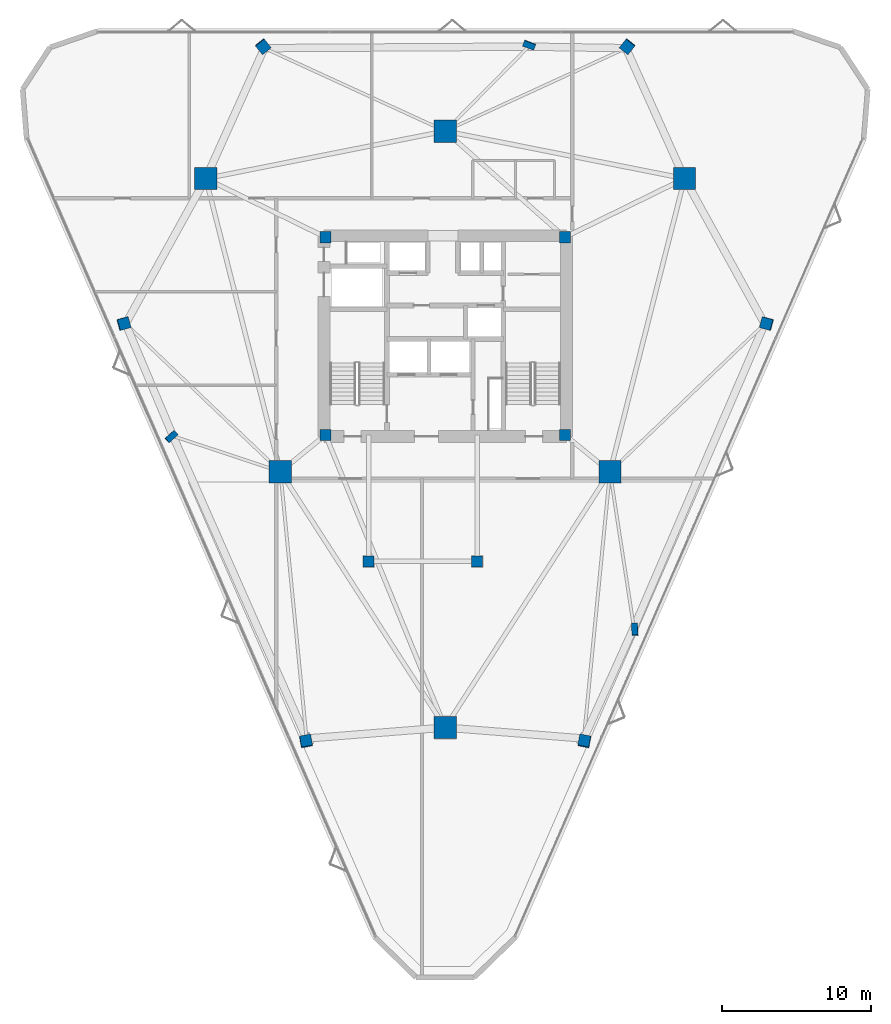
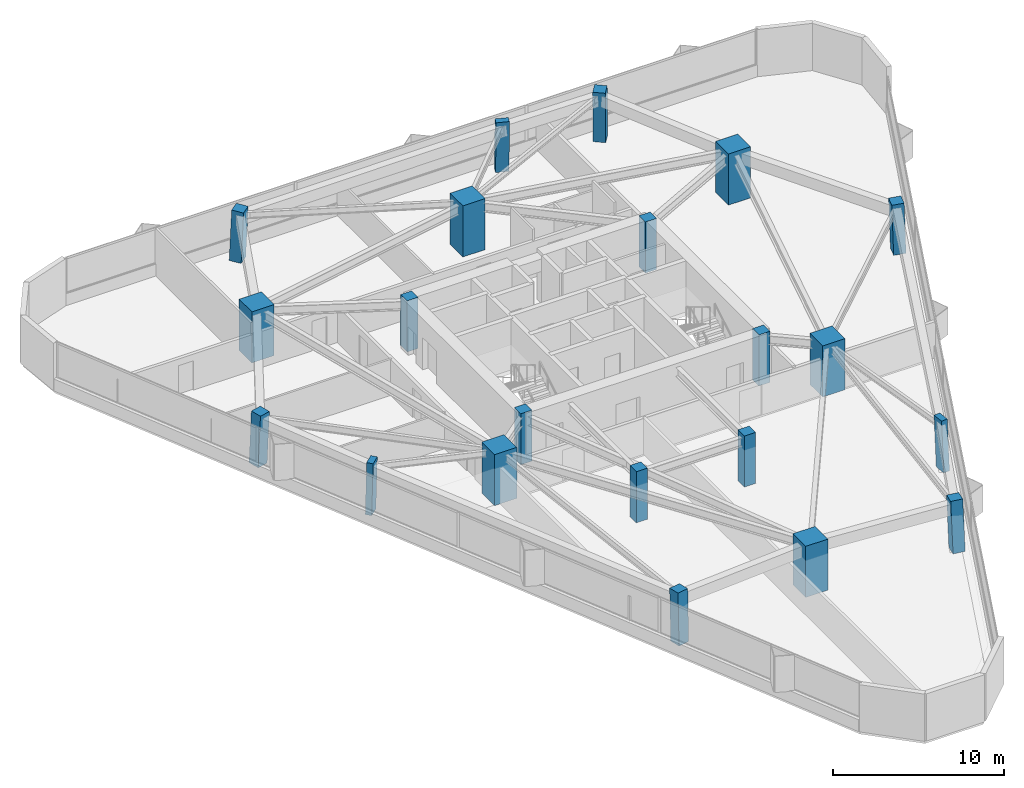
# One storey, part 1 of 13: 21 columns.
"""IFC4 building model written with IfcOpenShell, lengths in metres."""

from ifc_helpers import new_model, si_unit, direction, frame, origin, origin_2d, place, context, subcontext, project, spatial, rectangle, extrude, material, material_profile, profile_set, type_object, element, save


model = new_model("IFC4")

# Units and contexts
model_context = context("Model", 3, precision=1e-05, world=origin(), true_north=direction((0.0, 1.0)))
body_context = subcontext(model_context, "Body", "Model", "MODEL_VIEW")
ifc_project = project(units=[si_unit("LENGTHUNIT", "METRE"), si_unit("AREAUNIT", "SQUARE_METRE"), si_unit("VOLUMEUNIT", "CUBIC_METRE"), si_unit("PLANEANGLEUNIT", "RADIAN"), si_unit("MASSUNIT", "GRAM", prefix="KILO")], contexts=[model_context])

# Site, building, storey
site_placement = place(None, origin())
site = spatial("IfcSite", under=ifc_project, at=site_placement, CompositionType="ELEMENT")
building_placement = place(site_placement, origin())
building = spatial("IfcBuilding", under=site, at=building_placement, Name="Talyreon Biosciences Tower", CompositionType="ELEMENT")
storey_placement = place(building_placement, frame((0.0, 0.0, 145.449951171875)))
storey = spatial("IfcBuildingStorey", under=building, at=storey_placement, Name="L38", CompositionType="ELEMENT", Elevation=145.449951171875)

# Columns
ifc_material_1 = material(Name="Precast concrete C45/55", Category="concrete")
ifc_material_profile_1 = material_profile(ifc_material_1, rectangle(XDim=0.800048828125, YDim=0.39990234375, at=origin_2d()), Name="RC 800x400")
ifc_profile_set_1 = profile_set([ifc_material_profile_1], Name="Precast concrete C45/55")
column_type_1 = type_object("IfcColumnType", Name="FacadePilaster_800x400", PredefinedType="PILASTER", material=ifc_profile_set_1)
column_1_placement = place(storey_placement, frame((78.7646484375, 48.260009765625, 0.0029296875), z_axis=(-0.019612004119, 0.038286915892, 0.999074312234), x_axis=(0.061711070616, -0.997314869416, 0.039430888985)))
element("IfcColumn", 1, at=column_1_placement, inside=storey, type_object=column_type_1, Name="L38 Facade Pilaster PL-SE", PredefinedType="PILASTER", context=body_context, shape_type="SweptSolid", body=[
    extrude(rectangle(XDim=0.800048828125, YDim=0.39990234375, at=origin_2d()), origin(), (0.0, 0.0, 1.0), 3.6474609375),
])
column_2_placement = place(storey_placement, frame((71.6591796875, 87.591552734375, 0.0029296875), z_axis=(-0.012319636381, -0.033477272774, 0.999363546847), x_axis=(-0.938471233752, 0.345357414021, 0.0)))
element("IfcColumn", 2, at=column_2_placement, inside=storey, type_object=column_type_1, Name="L38 Facade Pilaster PL-N", PredefinedType="PILASTER", context=body_context, shape_type="SweptSolid", body=[
    extrude(rectangle(XDim=0.800048828125, YDim=0.39990234375, at=origin_2d()), origin(), (0.0, 0.0, 1.0), 3.646484375),
])
column_3_placement = place(storey_placement, frame((47.575927734375, 61.236328125, 0.0029296875), z_axis=(0.032006454348, 0.010579539303, 0.999431668614), x_axis=(0.744352970753, 0.667071142275, -0.030898965597)))
element("IfcColumn", 3, at=column_3_placement, inside=storey, type_object=column_type_1, Name="L38 Facade Pilaster PL-SW", PredefinedType="PILASTER", context=body_context, shape_type="SweptSolid", body=[
    extrude(rectangle(XDim=0.800048828125, YDim=0.39990234375, at=origin_2d()), origin(), (0.0, 0.0, 1.0), 3.64599609375),
])
ifc_material_2 = material(Name="Concrete C60/75", Category="concrete")
ifc_material_profile_2 = material_profile(ifc_material_2, rectangle(XDim=1.5, YDim=1.5, at=origin_2d()), Name="RC 1500x1500")
ifc_profile_set_2 = profile_set([ifc_material_profile_2], Name="Concrete C60/75")
column_type_2 = type_object("IfcColumnType", Name="MegaColumn_1500", PredefinedType="COLUMN", material=ifc_profile_set_2)
for number, where, z_axis, x_axis, name in (
    (4, (66.0, 41.6669921875, 0.0), (0.0, 0.0, 1.0), (1.0, 0.0, 0.0), "L38 Composite Mega-Column MC1"),
    (5, (82.102294921875, 78.5986328125, 0.0), (0.0, 0.0, 1.0), (1.0, 0.0, 0.0), "L38 Composite Mega-Column MC2"),
    (6, (49.897705078125, 78.5986328125, 0.0), (0.0, 0.0, 1.0), (1.0, 0.0, 0.0), "L38 Composite Mega-Column MC3"),
    (7, (77.086181640625, 58.88037109375, 0.0), (0.0, 0.0, 1.0), (1.0, 0.0, 0.0), "L38 Composite Mega-Column MC4"),
    (8, (66.0, 81.788818359375, 0.0), (0.0, 0.0, 1.0), (1.0, 0.0, 0.0), "L38 Composite Mega-Column MC5"),
    (9, (54.913818359375, 58.88037109375, 0.0), (0.0, 0.0, 1.0), (1.0, 0.0, 0.0), "L38 Composite Mega-Column MC6"),
):
    element("IfcColumn", number, at=place(storey_placement, frame(where, z_axis=z_axis, x_axis=x_axis)), inside=storey, type_object=column_type_2, Name=name, PredefinedType="COLUMN", context=body_context, shape_type="SweptSolid", body=[
        extrude(rectangle(XDim=1.5, YDim=1.5, at=origin_2d()), origin(), (0.0, 0.0, 1.0), 3.650146484375),
    ])
ifc_material_3 = material(Name="Concrete C50/60", Category="concrete")
ifc_material_profile_3 = material_profile(ifc_material_3, rectangle(XDim=0.75, YDim=0.75, at=origin_2d()), Name="RC 750x750")
ifc_profile_set_3 = profile_set([ifc_material_profile_3], Name="Concrete C50/60")
column_type_3 = type_object("IfcColumnType", Name="PerimeterColumn_750", PredefinedType="COLUMN", material=ifc_profile_set_3)
for number, where, z_axis, x_axis, name in (
    (10, (57.949951171875, 61.35009765625, 0.0), (0.0, 0.0, 1.0), (1.0, 0.0, 0.0), "L38 Core Column CC1"),
    (11, (74.050048828125, 61.35009765625, 0.0), (0.0, 0.0, 1.0), (1.0, 0.0, 0.0), "L38 Core Column CC2"),
    (12, (74.050048828125, 74.64990234375, 0.0), (0.0, 0.0, 1.0), (1.0, 0.0, 0.0), "L38 Core Column CC3"),
    (13, (57.949951171875, 74.64990234375, 0.0), (0.0, 0.0, 1.0), (1.0, 0.0, 0.0), "L38 Core Column CC4"),
    (14, (60.85009765625, 52.840087890625, 0.0), (0.0, 0.0, 1.0), (1.0, 0.0, 0.0), "L38 Core Column CSW"),
    (15, (68.14990234375, 52.840087890625, 0.0), (0.0, 0.0, 1.0), (1.0, 0.0, 0.0), "L38 Core Column CSE"),
):
    element("IfcColumn", number, at=place(storey_placement, frame(where, z_axis=z_axis, x_axis=x_axis)), inside=storey, type_object=column_type_3, Name=name, PredefinedType="COLUMN", context=body_context, shape_type="SweptSolid", body=[
        extrude(rectangle(XDim=0.75, YDim=0.75, at=origin_2d()), origin(), (0.0, 0.0, 1.0), 3.650146484375),
    ])
column_4_placement = place(storey_placement, frame((75.37158203125, 40.730224609375, 0.0029296875), z_axis=(-0.012308213911, 0.054517360531, 0.99843696109), x_axis=(-0.18839630256, -0.980756021357, 0.05122948129)))
element("IfcColumn", 16, at=column_4_placement, inside=storey, type_object=column_type_3, Name="L38 Tapering Perimeter Column PC-SE1", PredefinedType="COLUMN", context=body_context, shape_type="SweptSolid", body=[
    extrude(rectangle(XDim=0.75, YDim=0.75, at=origin_2d()), origin(), (0.0, 0.0, 1.0), 3.649658203125),
])
column_5_placement = place(storey_placement, frame((87.633544921875, 68.845947265625, 0.0029296875), z_axis=(-0.039229508262, -0.005623342481, 0.999214403269), x_axis=(0.963356994551, -0.265751221947, 0.036326148745)))
element("IfcColumn", 17, at=column_5_placement, inside=storey, type_object=column_type_3, Name="L38 Tapering Perimeter Column PC-SE2", PredefinedType="COLUMN", context=body_context, shape_type="SweptSolid", body=[
    extrude(rectangle(XDim=0.75, YDim=0.75, at=origin_2d()), origin(), (0.0, 0.0, 1.0), 3.64697265625),
])
for number, where, z_axis, x_axis, name in (
    (18, (78.261962890625, 87.49169921875, 0.0029296875), (-0.026841076243, -0.033534611465, 0.999077067328), (-0.780716755404, 0.624885067698, 0.0), "L38 Tapering Perimeter Column PC-N1"),
    (19, (53.738037109375, 87.49169921875, 0.0029296875), (0.026841076243, -0.033534611465, 0.999077067328), (-0.780716755404, -0.624885067698, 0.0), "L38 Tapering Perimeter Column PC-N2"),
):
    element("IfcColumn", number, at=place(storey_placement, frame(where, z_axis=z_axis, x_axis=x_axis)), inside=storey, type_object=column_type_3, Name=name, PredefinedType="COLUMN", context=body_context, shape_type="SweptSolid", body=[
        extrude(rectangle(XDim=0.75, YDim=0.75, at=origin_2d()), origin(), (0.0, 0.0, 1.0), 3.6474609375),
    ])
column_6_placement = place(storey_placement, frame((44.3662109375, 68.845947265625, 0.0029296875), z_axis=(0.039296349527, -0.005623327701, 0.999211776902), x_axis=(0.963290992167, 0.265982077372, -0.036386796054)))
element("IfcColumn", 20, at=column_6_placement, inside=storey, type_object=column_type_3, Name="L38 Tapering Perimeter Column PC-SW1", PredefinedType="COLUMN", context=body_context, shape_type="SweptSolid", body=[
    extrude(rectangle(XDim=0.75, YDim=0.75, at=origin_2d()), origin(), (0.0, 0.0, 1.0), 3.64697265625),
])
column_7_placement = place(storey_placement, frame((56.62841796875, 40.730224609375, 0.0029296875), z_axis=(0.012308213911, 0.054517360531, 0.99843696109), x_axis=(-0.18839630256, 0.980756021357, -0.05122948129)))
element("IfcColumn", 21, at=column_7_placement, inside=storey, type_object=column_type_3, Name="L38 Tapering Perimeter Column PC-SW2", PredefinedType="COLUMN", context=body_context, shape_type="SweptSolid", body=[
    extrude(rectangle(XDim=0.75, YDim=0.75, at=origin_2d()), origin(), (0.0, 0.0, 1.0), 3.649658203125),
])

save(model, "model.ifc")
